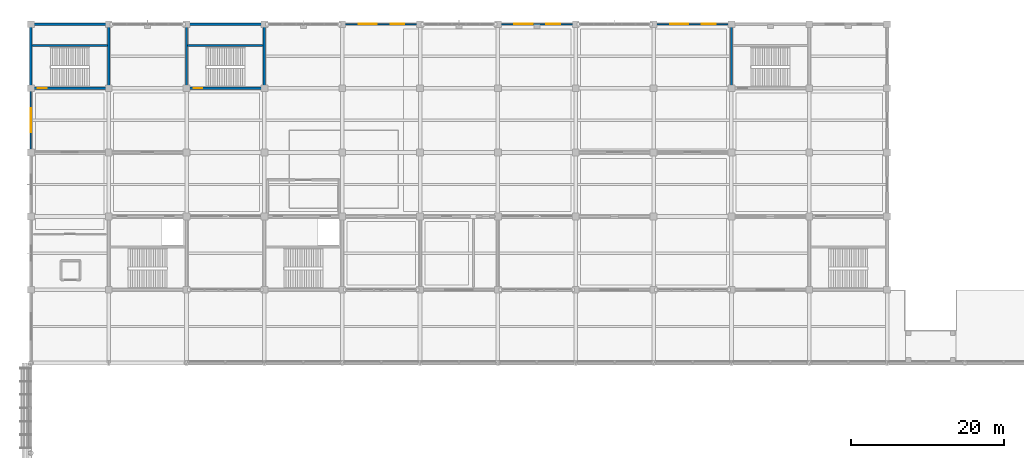
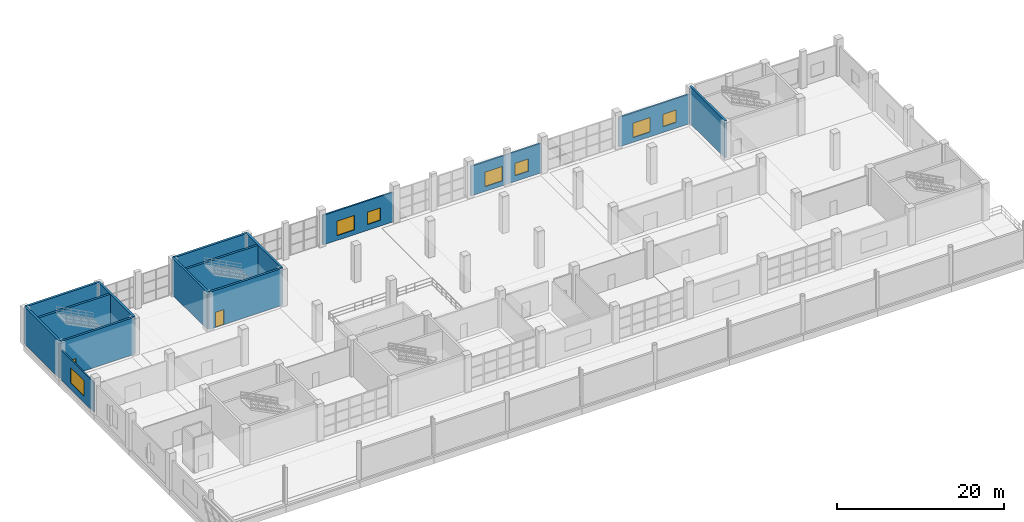
# One storey, part 137 of 175: 15 walls, 7 windows, 2 doors, 9 openings.
"""IFC4 building model written with IfcOpenShell, lengths in metres."""

from ifc_helpers import new_model, si_unit, direction, frame, frame_2d, origin, place, context, subcontext, project, spatial, rectangle, extrude, material, layer, layer_set, type_object, element, fill, save


model = new_model("IFC4")

# Units and contexts
model_context = context("Model", 3, precision=1e-05, world=origin(), true_north=direction((0.0, 1.0)))
body_context = subcontext(model_context, "Body", "Model", "MODEL_VIEW")
ifc_project = project(units=[si_unit("LENGTHUNIT", "METRE"), si_unit("AREAUNIT", "SQUARE_METRE"), si_unit("VOLUMEUNIT", "CUBIC_METRE"), si_unit("PLANEANGLEUNIT", "RADIAN"), si_unit("MASSUNIT", "GRAM", prefix="KILO")], contexts=[model_context])

# Site, building, storey
site_placement = place(None, origin())
site = spatial("IfcSite", under=ifc_project, at=site_placement, CompositionType="ELEMENT")
building_placement = place(site_placement, origin())
building = spatial("IfcBuilding", under=site, at=building_placement, Name="Brelvane Convention Centre", CompositionType="ELEMENT")
storey_placement = place(building_placement, frame((0.0, 0.0, 5.39990234375)))
storey = spatial("IfcBuildingStorey", under=building, at=storey_placement, Name="L01", CompositionType="ELEMENT", Elevation=5.39990234375)

# Wall, openings, windows
ifc_material_1 = material(Name="Insulated Autoclaved Aerated Concrete Block Grade 1", Category="concrete")
ifc_layer_1 = layer(ifc_material_1, 0.219970703125)
ifc_layer_set_1 = layer_set([ifc_layer_1], Name="Insulated Autoclaved Aerated Concrete Block Grade 1")
wall_type_1 = type_object("IfcWallType", Name="Exterior Wall EW-04", PredefinedType="STANDARD", material=ifc_layer_set_1)
wall_1_placement = place(storey_placement, frame((41.0400390625, 144.0, 0.0), z_axis=(0.0, 0.0, 1.0), x_axis=(1.0, 0.0, 0.0)))
wall_1 = element("IfcWall", 1, at=wall_1_placement, inside=storey, type_object=wall_type_1, Name="Exterior Wall L01 V4N-05", PredefinedType="STANDARD", context=body_context, shape_type="SweptSolid", body=[
    extrude(rectangle(XDim=9.719970703125, YDim=0.219970703125, at=frame_2d((4.85986328125, 0.0))), origin(), (0.0, 0.0, 1.0), 4.320068359375),
])
opening_1_placement = place(wall_1_placement, frame((1.909912109375, 0.0, 0.699951171875)))
opening_1 = element("IfcOpeningElement", 2, at=opening_1_placement, cuts=wall_1, Name="Opening WN-01", PredefinedType="OPENING", context=body_context, shape_type="SweptSolid", body=[
    extrude(rectangle(XDim=2.39990234375, YDim=2.10009765625, at=frame_2d((1.199951171875, 1.050048828125))), frame((0.0, 0.119873046875, 0.0), z_axis=(0.0, -1.0, 0.0), x_axis=(1.0, 0.0, 0.0)), (0.0, 0.0, 1.0), 0.239990234375),
])
opening_2_placement = place(wall_1_placement, frame((6.097900390625, 0.0, 0.85009765625)))
opening_2 = element("IfcOpeningElement", 3, at=opening_2_placement, cuts=wall_1, Name="Opening WN-04", PredefinedType="OPENING", context=body_context, shape_type="SweptSolid", body=[
    extrude(rectangle(XDim=1.800048828125, YDim=1.800048828125, at=frame_2d((0.89990234375, 0.89990234375))), frame((0.0, 0.119873046875, 0.0), z_axis=(0.0, -1.0, 0.0), x_axis=(1.0, 0.0, 0.0)), (0.0, 0.0, 1.0), 0.239990234375),
])
ifc_material_2 = material(Name="Double Glazed Low-E Laminated Unit")
window_type_1 = type_object("IfcWindowType", Name="Window WN-01", PartitioningType="DOUBLE_PANEL_VERTICAL", PredefinedType="WINDOW", material=ifc_material_2)
window_1_placement = place(opening_1_placement, origin())
window_1 = element("IfcWindow", 4, at=window_1_placement, inside=storey, type_object=window_type_1, Name="Facade Window L01-V4N-05-017", OverallHeight=2.10009765625, OverallWidth=2.39990234375, PartitioningType="DOUBLE_PANEL_VERTICAL", PredefinedType="WINDOW", context=body_context, shape_type="SweptSolid", body=[
    extrude(rectangle(XDim=2.39990234375, YDim=2.10009765625, at=frame_2d((1.199951171875, 1.050048828125))), frame((0.0, 0.030029296875, 0.0), z_axis=(0.0, -1.0, 0.0), x_axis=(1.0, 0.0, 0.0)), (0.0, 0.0, 1.0), 0.06005859375),
])
fill(opening_1, window_1)
ifc_material_3 = material(Name="Double Glazed Low-E Laminated Unit")
window_type_2 = type_object("IfcWindowType", Name="Window WN-04", PartitioningType="DOUBLE_PANEL_VERTICAL", PredefinedType="WINDOW", material=ifc_material_3)
window_2_placement = place(opening_2_placement, origin())
window_2 = element("IfcWindow", 5, at=window_2_placement, inside=storey, type_object=window_type_2, Name="Facade Window L01-V4N-05-018", OverallHeight=1.800048828125, OverallWidth=1.800048828125, PartitioningType="DOUBLE_PANEL_VERTICAL", PredefinedType="WINDOW", context=body_context, shape_type="SweptSolid", body=[
    extrude(rectangle(XDim=1.800048828125, YDim=1.800048828125, at=frame_2d((0.89990234375, 0.89990234375))), frame((0.0, 0.030029296875, 0.0), z_axis=(0.0, -1.0, 0.0), x_axis=(1.0, 0.0, 0.0)), (0.0, 0.0, 1.0), 0.06005859375),
])
fill(opening_2, window_2)

wall_2_placement = place(storey_placement, frame((61.43994140625, 144.0, 0.0), z_axis=(0.0, 0.0, 1.0), x_axis=(1.0, 0.0, 0.0)))
wall_2 = element("IfcWall", 6, at=wall_2_placement, inside=storey, type_object=wall_type_1, Name="Exterior Wall L01 V4N-07", PredefinedType="STANDARD", context=body_context, shape_type="SweptSolid", body=[
    extrude(rectangle(XDim=9.719970703125, YDim=0.219970703125, at=frame_2d((4.85986328125, 0.0))), origin(), (0.0, 0.0, 1.0), 4.320068359375),
])
opening_3_placement = place(wall_2_placement, frame((1.909912109375, 0.0, 0.699951171875)))
opening_3 = element("IfcOpeningElement", 7, at=opening_3_placement, cuts=wall_2, Name="Opening WN-01", PredefinedType="OPENING", context=body_context, shape_type="SweptSolid", body=[
    extrude(rectangle(XDim=2.39990234375, YDim=2.10009765625, at=frame_2d((1.199951171875, 1.050048828125))), frame((0.0, 0.119873046875, 0.0), z_axis=(0.0, -1.0, 0.0), x_axis=(1.0, 0.0, 0.0)), (0.0, 0.0, 1.0), 0.239990234375),
])
opening_4_placement = place(wall_2_placement, frame((6.097900390625, 0.0, 0.85009765625)))
opening_4 = element("IfcOpeningElement", 8, at=opening_4_placement, cuts=wall_2, Name="Opening WN-04", PredefinedType="OPENING", context=body_context, shape_type="SweptSolid", body=[
    extrude(rectangle(XDim=1.800048828125, YDim=1.800048828125, at=frame_2d((0.89990234375, 0.89990234375))), frame((0.0, 0.119873046875, 0.0), z_axis=(0.0, -1.0, 0.0), x_axis=(1.0, 0.0, 0.0)), (0.0, 0.0, 1.0), 0.239990234375),
])
window_3_placement = place(opening_3_placement, origin())
window_3 = element("IfcWindow", 9, at=window_3_placement, inside=storey, type_object=window_type_1, Name="Facade Window L01-V4N-07-020", OverallHeight=2.10009765625, OverallWidth=2.39990234375, PartitioningType="DOUBLE_PANEL_VERTICAL", PredefinedType="WINDOW", context=body_context, shape_type="SweptSolid", body=[
    extrude(rectangle(XDim=2.39990234375, YDim=2.10009765625, at=frame_2d((1.199951171875, 1.050048828125))), frame((0.0, 0.030029296875, 0.0), z_axis=(0.0, -1.0, 0.0), x_axis=(1.0, 0.0, 0.0)), (0.0, 0.0, 1.0), 0.06005859375),
])
fill(opening_3, window_3)
window_4_placement = place(opening_4_placement, origin())
window_4 = element("IfcWindow", 10, at=window_4_placement, inside=storey, type_object=window_type_2, Name="Facade Window L01-V4N-07-021", OverallHeight=1.800048828125, OverallWidth=1.800048828125, PartitioningType="DOUBLE_PANEL_VERTICAL", PredefinedType="WINDOW", context=body_context, shape_type="SweptSolid", body=[
    extrude(rectangle(XDim=1.800048828125, YDim=1.800048828125, at=frame_2d((0.89990234375, 0.89990234375))), frame((0.0, 0.030029296875, 0.0), z_axis=(0.0, -1.0, 0.0), x_axis=(1.0, 0.0, 0.0)), (0.0, 0.0, 1.0), 0.06005859375),
])
fill(opening_4, window_4)

wall_3_placement = place(storey_placement, frame((81.840087890625, 144.0, 0.0), z_axis=(0.0, 0.0, 1.0), x_axis=(1.0, 0.0, 0.0)))
wall_3 = element("IfcWall", 11, at=wall_3_placement, inside=storey, type_object=wall_type_1, Name="Exterior Wall L01 V4N-09", PredefinedType="STANDARD", context=body_context, shape_type="SweptSolid", body=[
    extrude(rectangle(XDim=9.719970703125, YDim=0.219970703125, at=frame_2d((4.85986328125, 0.0))), origin(), (0.0, 0.0, 1.0), 4.320068359375),
])
opening_5_placement = place(wall_3_placement, frame((1.909912109375, 0.0, 0.699951171875)))
opening_5 = element("IfcOpeningElement", 12, at=opening_5_placement, cuts=wall_3, Name="Opening WN-01", PredefinedType="OPENING", context=body_context, shape_type="SweptSolid", body=[
    extrude(rectangle(XDim=2.39990234375, YDim=2.10009765625, at=frame_2d((1.199951171875, 1.050048828125))), frame((0.0, 0.119873046875, 0.0), z_axis=(0.0, -1.0, 0.0), x_axis=(1.0, 0.0, 0.0)), (0.0, 0.0, 1.0), 0.239990234375),
])
opening_6_placement = place(wall_3_placement, frame((6.097900390625, 0.0, 0.85009765625)))
opening_6 = element("IfcOpeningElement", 13, at=opening_6_placement, cuts=wall_3, Name="Opening WN-04", PredefinedType="OPENING", context=body_context, shape_type="SweptSolid", body=[
    extrude(rectangle(XDim=1.800048828125, YDim=1.800048828125, at=frame_2d((0.89990234375, 0.89990234375))), frame((0.0, 0.119873046875, 0.0), z_axis=(0.0, -1.0, 0.0), x_axis=(1.0, 0.0, 0.0)), (0.0, 0.0, 1.0), 0.239990234375),
])
window_5_placement = place(opening_5_placement, origin())
window_5 = element("IfcWindow", 14, at=window_5_placement, inside=storey, type_object=window_type_1, Name="Facade Window L01-V4N-09-023", OverallHeight=2.10009765625, OverallWidth=2.39990234375, PartitioningType="DOUBLE_PANEL_VERTICAL", PredefinedType="WINDOW", context=body_context, shape_type="SweptSolid", body=[
    extrude(rectangle(XDim=2.39990234375, YDim=2.10009765625, at=frame_2d((1.199951171875, 1.050048828125))), frame((0.0, 0.030029296875, 0.0), z_axis=(0.0, -1.0, 0.0), x_axis=(1.0, 0.0, 0.0)), (0.0, 0.0, 1.0), 0.06005859375),
])
fill(opening_5, window_5)
window_6_placement = place(opening_6_placement, origin())
window_6 = element("IfcWindow", 15, at=window_6_placement, inside=storey, type_object=window_type_2, Name="Facade Window L01-V4N-09-024", OverallHeight=1.800048828125, OverallWidth=1.800048828125, PartitioningType="DOUBLE_PANEL_VERTICAL", PredefinedType="WINDOW", context=body_context, shape_type="SweptSolid", body=[
    extrude(rectangle(XDim=1.800048828125, YDim=1.800048828125, at=frame_2d((0.89990234375, 0.89990234375))), frame((0.0, 0.030029296875, 0.0), z_axis=(0.0, -1.0, 0.0), x_axis=(1.0, 0.0, 0.0)), (0.0, 0.0, 1.0), 0.06005859375),
])
fill(opening_6, window_6)

# Wall, opening, window
ifc_material_4 = material(Name="Insulated Autoclaved Aerated Concrete Block Grade 1", Category="concrete")
ifc_layer_2 = layer(ifc_material_4, 0.18994140625)
ifc_layer_set_2 = layer_set([ifc_layer_2], Name="Insulated Autoclaved Aerated Concrete Block Grade 1")
wall_type_2 = type_object("IfcWallType", Name="Exterior Wall EW-06", PredefinedType="STANDARD", material=ifc_layer_set_2)
wall_4_placement = place(storey_placement, frame((0.0, 127.43994140625, 0.0), z_axis=(0.0, 0.0, 1.0), x_axis=(0.0, 1.0, 0.0)))
wall_4 = element("IfcWall", 16, at=wall_4_placement, inside=storey, type_object=wall_type_2, Name="Exterior Wall L01 V4W-L01-127", PredefinedType="STANDARD", context=body_context, shape_type="SweptSolid", body=[
    extrude(rectangle(XDim=7.920166015625, YDim=0.18994140625, at=frame_2d((3.9599609375, 0.0))), origin(), (0.0, 0.0, 1.0), 4.320068359375),
])
opening_7_placement = place(wall_4_placement, frame((2.385009765625, 0.0, 0.89990234375)))
opening_7 = element("IfcOpeningElement", 17, at=opening_7_placement, cuts=wall_4, Name="Opening WN-16", PredefinedType="OPENING", context=body_context, shape_type="SweptSolid", body=[
    extrude(rectangle(XDim=3.14990234375, YDim=2.25, at=frame_2d((1.574951171875, 1.125))), frame((0.0, 0.10498046875, 0.0), z_axis=(0.0, -1.0, 0.0), x_axis=(1.0, 0.0, 0.0)), (0.0, 0.0, 1.0), 0.2099609375),
])
ifc_material_5 = material(Name="Double Glazed Low-E Laminated Unit")
window_type_3 = type_object("IfcWindowType", Name="Window WN-16", PartitioningType="TRIPLE_PANEL_VERTICAL", PredefinedType="WINDOW", material=ifc_material_5)
window_7_placement = place(opening_7_placement, origin())
window_7 = element("IfcWindow", 18, at=window_7_placement, inside=storey, type_object=window_type_3, Name="Facade Window L01-V4W-L01-127-071", OverallHeight=2.25, OverallWidth=3.14990234375, PartitioningType="TRIPLE_PANEL_VERTICAL", PredefinedType="WINDOW", context=body_context, shape_type="SweptSolid", body=[
    extrude(rectangle(XDim=3.14990234375, YDim=2.25, at=frame_2d((1.574951171875, 1.125))), frame((0.0, 0.030029296875, 0.0), z_axis=(0.0, -1.0, 0.0), x_axis=(1.0, 0.0, 0.0)), (0.0, 0.0, 1.0), 0.06005859375),
])
fill(opening_7, window_7)

# Wall
ifc_material_6 = material(Name="Concrete M50", Category="concrete")
ifc_layer_3 = layer(ifc_material_6, 0.300048828125)
ifc_layer_set_3 = layer_set([ifc_layer_3], Name="Concrete M50")
wall_type_3 = type_object("IfcWallType", Name="Structural Wall WL-CORE-300", PredefinedType="SHEAR", material=ifc_layer_set_3)
wall_5_placement = place(storey_placement, frame((91.800048828125, 135.60009765625, 0.0), z_axis=(0.0, 0.0, 1.0), x_axis=(0.0, 1.0, 0.0)))
element("IfcWall", 19, at=wall_5_placement, inside=storey, type_object=wall_type_3, Name="Stair Core ST-12 Wall W (L01)", PredefinedType="SHEAR", context=body_context, shape_type="SweptSolid", body=[
    extrude(rectangle(XDim=8.39990234375, YDim=0.300048828125, at=frame_2d((4.199951171875, 0.0))), origin(), (0.0, 0.0, 1.0), 5.400146484375),
])

# Wall, opening, door
wall_6_placement = place(storey_placement, frame((20.39990234375, 135.60009765625, 0.0), z_axis=(0.0, 0.0, 1.0), x_axis=(1.0, 0.0, 0.0)))
wall_6 = element("IfcWall", 20, at=wall_6_placement, inside=storey, type_object=wall_type_3, Name="Stair Core ST-13 Wall S (L01)", PredefinedType="SHEAR", context=body_context, shape_type="SweptSolid", body=[
    extrude(rectangle(XDim=10.2001953125, YDim=0.300048828125, at=frame_2d((5.10009765625, 0.0))), origin(), (0.0, 0.0, 1.0), 5.400146484375),
])
opening_8_placement = place(wall_6_placement, frame((0.919921875, 0.0, 0.0)))
opening_8 = element("IfcOpeningElement", 21, at=opening_8_placement, cuts=wall_6, Name="Opening DR-IN-04L", PredefinedType="OPENING", context=body_context, shape_type="SweptSolid", body=[
    extrude(rectangle(XDim=1.159912109375, YDim=2.199951171875, at=frame_2d((0.580078125, 1.10009765625))), frame((0.0, 0.159912109375, 0.0), z_axis=(0.0, -1.0, 0.0), x_axis=(1.0, 0.0, 0.0)), (0.0, 0.0, 1.0), 0.320068359375),
])
ifc_material_7 = material(Name="Galvanised Hollow-Metal Fire Door Steel E250", Category="steel")
door_type = type_object("IfcDoorType", Name="Interior Door DR-IN-04L", OperationType="NOTDEFINED", PredefinedType="DOOR", material=ifc_material_7)
door_1_placement = place(opening_8_placement, origin())
door_1 = element("IfcDoor", 22, at=door_1_placement, inside=storey, type_object=door_type, Name="Stair ST-13 Entry Door (L01)", OperationType="SINGLE_SWING_LEFT", OverallHeight=2.199951171875, OverallWidth=1.159912109375, PredefinedType="DOOR", context=body_context, shape_type="SweptSolid", body=[
    extrude(rectangle(XDim=1.159912109375, YDim=2.199951171875, at=frame_2d((0.580078125, 1.10009765625))), frame((0.0, 0.02490234375, 0.0), z_axis=(0.0, -1.0, 0.0), x_axis=(1.0, 0.0, 0.0)), (0.0, 0.0, 1.0), 0.050048828125),
])
fill(opening_8, door_1)

# Walls
wall_7_placement = place(storey_placement, frame((20.39990234375, 144.0, 0.0), z_axis=(0.0, 0.0, 1.0), x_axis=(1.0, 0.0, 0.0)))
element("IfcWall", 23, at=wall_7_placement, inside=storey, type_object=wall_type_3, Name="Stair Core ST-13 Wall N (L01)", PredefinedType="SHEAR", context=body_context, shape_type="SweptSolid", body=[
    extrude(rectangle(XDim=10.2001953125, YDim=0.300048828125, at=frame_2d((5.10009765625, 0.0))), origin(), (0.0, 0.0, 1.0), 5.400146484375),
])
for number, where, z_axis, x_axis, name in (
    (24, (20.39990234375, 135.60009765625, 0.0), (0.0, 0.0, 1.0), (0.0, 1.0, 0.0), "Stair Core ST-13 Wall W (L01)"),
    (25, (30.60009765625, 135.60009765625, 0.0), (0.0, 0.0, 1.0), (0.0, 1.0, 0.0), "Stair Core ST-13 Wall E (L01)"),
):
    element("IfcWall", number, at=place(storey_placement, frame(where, z_axis=z_axis, x_axis=x_axis)), inside=storey, type_object=wall_type_3, Name=name, PredefinedType="SHEAR", context=body_context, shape_type="SweptSolid", body=[
        extrude(rectangle(XDim=8.39990234375, YDim=0.300048828125, at=frame_2d((4.199951171875, 0.0))), origin(), (0.0, 0.0, 1.0), 5.400146484375),
    ])
wall_8_placement = place(storey_placement, frame((20.550048828125, 141.199951171875, 0.0), z_axis=(0.0, 0.0, 1.0), x_axis=(1.0, 0.0, 0.0)))
element("IfcWall", 26, at=wall_8_placement, inside=storey, type_object=wall_type_3, Name="Stair Core ST-13 Well Wall (L01)", PredefinedType="SHEAR", context=body_context, shape_type="SweptSolid", body=[
    extrude(rectangle(XDim=9.89990234375, YDim=0.300048828125, at=frame_2d((4.949951171875, 0.0))), origin(), (0.0, 0.0, 1.0), 5.400146484375),
])

# Wall, opening, door
wall_9_placement = place(storey_placement, frame((0.0, 135.60009765625, 0.0), z_axis=(0.0, 0.0, 1.0), x_axis=(1.0, 0.0, 0.0)))
wall_9 = element("IfcWall", 27, at=wall_9_placement, inside=storey, type_object=wall_type_3, Name="Stair Core ST-17 Wall S (L01)", PredefinedType="SHEAR", context=body_context, shape_type="SweptSolid", body=[
    extrude(rectangle(XDim=10.199951171875, YDim=0.300048828125, at=frame_2d((5.10009765625, 0.0))), origin(), (0.0, 0.0, 1.0), 5.400146484375),
])
opening_9_placement = place(wall_9_placement, frame((0.919921875, 0.0, 0.0)))
opening_9 = element("IfcOpeningElement", 28, at=opening_9_placement, cuts=wall_9, Name="Opening DR-IN-04L", PredefinedType="OPENING", context=body_context, shape_type="SweptSolid", body=[
    extrude(rectangle(XDim=1.159912109375, YDim=2.199951171875, at=frame_2d((0.580078125, 1.10009765625))), frame((0.0, 0.159912109375, 0.0), z_axis=(0.0, -1.0, 0.0), x_axis=(1.0, 0.0, 0.0)), (0.0, 0.0, 1.0), 0.320068359375),
])
door_2_placement = place(opening_9_placement, origin())
door_2 = element("IfcDoor", 29, at=door_2_placement, inside=storey, type_object=door_type, Name="Stair ST-17 Entry Door (L01)", OperationType="SINGLE_SWING_LEFT", OverallHeight=2.199951171875, OverallWidth=1.159912109375, PredefinedType="DOOR", context=body_context, shape_type="SweptSolid", body=[
    extrude(rectangle(XDim=1.159912109375, YDim=2.199951171875, at=frame_2d((0.580078125, 1.10009765625))), frame((0.0, 0.02490234375, 0.0), z_axis=(0.0, -1.0, 0.0), x_axis=(1.0, 0.0, 0.0)), (0.0, 0.0, 1.0), 0.050048828125),
])
fill(opening_9, door_2)

# Walls
wall_10_placement = place(storey_placement, frame((0.0, 144.0, 0.0), z_axis=(0.0, 0.0, 1.0), x_axis=(1.0, 0.0, 0.0)))
element("IfcWall", 30, at=wall_10_placement, inside=storey, type_object=wall_type_3, Name="Stair Core ST-17 Wall N (L01)", PredefinedType="SHEAR", context=body_context, shape_type="SweptSolid", body=[
    extrude(rectangle(XDim=10.199951171875, YDim=0.300048828125, at=frame_2d((5.10009765625, 0.0))), origin(), (0.0, 0.0, 1.0), 5.400146484375),
])
for number, where, z_axis, x_axis, name in (
    (31, (0.0, 135.60009765625, 0.0), (0.0, 0.0, 1.0), (0.0, 1.0, 0.0), "Stair Core ST-17 Wall W (L01)"),
    (32, (10.199951171875, 135.60009765625, 0.0), (0.0, 0.0, 1.0), (0.0, 1.0, 0.0), "Stair Core ST-17 Wall E (L01)"),
):
    element("IfcWall", number, at=place(storey_placement, frame(where, z_axis=z_axis, x_axis=x_axis)), inside=storey, type_object=wall_type_3, Name=name, PredefinedType="SHEAR", context=body_context, shape_type="SweptSolid", body=[
        extrude(rectangle(XDim=8.39990234375, YDim=0.300048828125, at=frame_2d((4.199951171875, 0.0))), origin(), (0.0, 0.0, 1.0), 5.400146484375),
    ])
wall_11_placement = place(storey_placement, frame((0.14990234375, 141.199951171875, 0.0), z_axis=(0.0, 0.0, 1.0), x_axis=(1.0, 0.0, 0.0)))
element("IfcWall", 33, at=wall_11_placement, inside=storey, type_object=wall_type_3, Name="Stair Core ST-17 Well Wall (L01)", PredefinedType="SHEAR", context=body_context, shape_type="SweptSolid", body=[
    extrude(rectangle(XDim=9.900146484375, YDim=0.300048828125, at=frame_2d((4.9501953125, 0.0))), origin(), (0.0, 0.0, 1.0), 5.400146484375),
])

save(model, "model.ifc")
